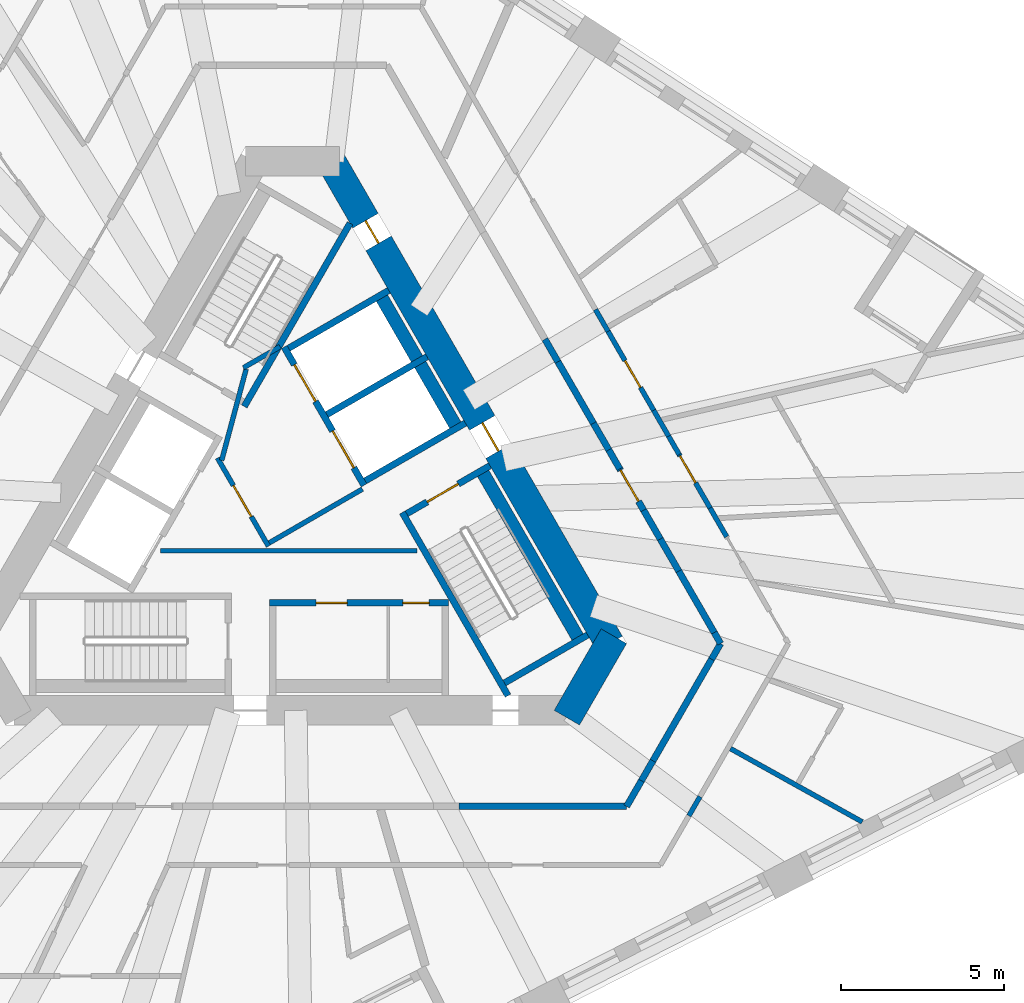
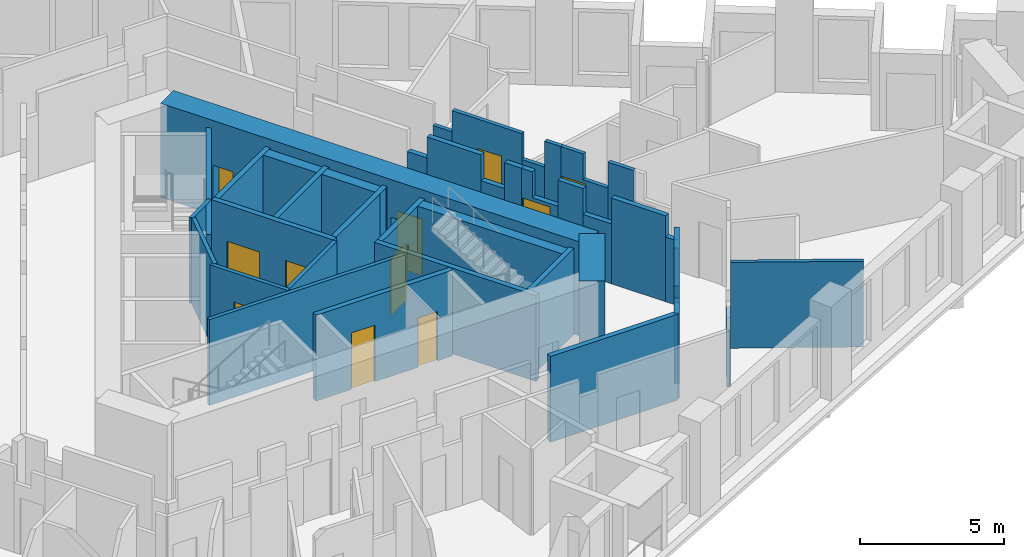
# One storey, part 5 of 13: 40 walls, 11 doors, 11 openings.
"""IFC4 building model written with IfcOpenShell, lengths in metres."""

from ifc_helpers import new_model, si_unit, direction, frame, frame_2d, origin, place, context, subcontext, project, spatial, polyline, rectangle, outline, extrude, material, layer, layer_set, type_object, element, fill, save


model = new_model("IFC4")

# Units and contexts
model_context = context("Model", 3, precision=1e-05, world=origin(), true_north=direction((0.0, 1.0)))
body_context = subcontext(model_context, "Body", "Model", "MODEL_VIEW")
ifc_project = project(units=[si_unit("LENGTHUNIT", "METRE"), si_unit("AREAUNIT", "SQUARE_METRE"), si_unit("VOLUMEUNIT", "CUBIC_METRE"), si_unit("PLANEANGLEUNIT", "RADIAN"), si_unit("MASSUNIT", "GRAM", prefix="KILO")], contexts=[model_context])

# Site, building, storey
site_placement = place(None, origin())
site = spatial("IfcSite", under=ifc_project, at=site_placement, CompositionType="ELEMENT")
building_placement = place(site_placement, origin())
building = spatial("IfcBuilding", under=site, at=building_placement, Name="Tramontana Tower", CompositionType="ELEMENT")
storey_placement = place(building_placement, frame((0.0, 0.0, 141.60009765625)))
storey = spatial("IfcBuildingStorey", under=building, at=storey_placement, Name="L32", CompositionType="ELEMENT", Elevation=141.60009765625)

# Wall
ifc_material_1 = material(Name="Concrete 70 MPa", Category="concrete")
ifc_layer_1 = layer(ifc_material_1, 0.89990234375)
ifc_layer_set_1 = layer_set([ifc_layer_1], Name="Core wall 900 70 MPa")
wall_type_1 = type_object("IfcWallType", Name="Core wall 900 70 MPa", PredefinedType="SHEAR", material=ifc_layer_set_1)
wall_1_placement = place(storey_placement, frame((8.414794921875, -6.52490234375, 0.0), z_axis=(0.0, 0.0, 1.0), x_axis=(0.500059191753, 0.865991226713, 0.0)))
element("IfcWall", 1, at=wall_1_placement, inside=storey, type_object=wall_type_1, Name="Core wall C4 L32", PredefinedType="SHEAR", context=body_context, shape_type="SweptSolid", body=[
    extrude(rectangle(XDim=2.886962890625, YDim=0.89990234375, at=frame_2d((1.443359375, 0.0))), origin(), (0.0, 0.0, 1.0), 4.0),
])

# Wall, openings, doors
wall_2_placement = place(storey_placement, frame((9.728515625, -4.25, 0.0), z_axis=(0.0, 0.0, 1.0), x_axis=(-0.500004814304, 0.866022624227, 0.0)))
wall_2 = element("IfcWall", 2, at=wall_2_placement, inside=storey, type_object=wall_type_1, Name="Core wall C5 L32", PredefinedType="SHEAR", context=body_context, shape_type="SweptSolid", body=[
    extrude(rectangle(XDim=17.089599609375, YDim=0.89990234375, at=frame_2d((8.544921875, 0.0))), origin(), (0.0, 0.0, 1.0), 4.0),
])
opening_1_placement = place(wall_2_placement, frame((6.81982421875, 0.0, 0.0)))
opening_1 = element("IfcOpeningElement", 3, at=opening_1_placement, cuts=wall_2, Name="Opening RG3", PredefinedType="OPENING", context=body_context, shape_type="SweptSolid", body=[
    extrude(rectangle(XDim=1.0, YDim=2.39990234375, at=frame_2d((0.5, 1.199951171875))), frame((0.0, 0.4599609375, 0.0), z_axis=(0.0, -1.0, 0.0), x_axis=(1.0, 0.0, 0.0)), (0.0, 0.0, 1.0), 0.919921875),
])
opening_2_placement = place(wall_2_placement, frame((14.183837890625, 0.0, 0.0)))
opening_2 = element("IfcOpeningElement", 4, at=opening_2_placement, cuts=wall_2, Name="Opening PD3", PredefinedType="OPENING", context=body_context, shape_type="SweptSolid", body=[
    extrude(rectangle(XDim=0.800048828125, YDim=2.10009765625, at=frame_2d((0.39990234375, 1.050048828125))), frame((0.0, 0.4599609375, 0.0), z_axis=(0.0, -1.0, 0.0), x_axis=(1.0, 0.0, 0.0)), (0.0, 0.0, 1.0), 0.919921875),
])
ifc_material_2 = material(Name="Painted steel", Category="steel")
door_type_1 = type_object("IfcDoorType", Name="CUPBOARD DOOR 800", OperationType="SINGLE_SWING_LEFT", PredefinedType="DOOR", material=ifc_material_2)
door_1_placement = place(opening_2_placement, origin())
door_1 = element("IfcDoor", 5, at=door_1_placement, inside=storey, type_object=door_type_1, Name="Door PD3", OperationType="SINGLE_SWING_RIGHT", OverallHeight=2.10009765625, OverallWidth=0.800048828125, PredefinedType="DOOR", context=body_context, shape_type="SweptSolid", body=[
    extrude(rectangle(XDim=0.800048828125, YDim=2.10009765625, at=frame_2d((0.39990234375, 1.050048828125))), frame((0.0, 0.02490234375, 0.0), z_axis=(0.0, -1.0, 0.0), x_axis=(1.0, 0.0, 0.0)), (0.0, 0.0, 1.0), 0.050048828125),
])
fill(opening_2, door_1)
ifc_material_3 = material(Name="Painted steel", Category="steel")
door_type_2 = type_object("IfcDoorType", Name="RING DOOR 1000", OperationType="SINGLE_SWING_LEFT", PredefinedType="DOOR", material=ifc_material_3)
door_2_placement = place(opening_1_placement, origin())
door_2 = element("IfcDoor", 6, at=door_2_placement, inside=storey, type_object=door_type_2, Name="Door RG3", OperationType="SINGLE_SWING_RIGHT", OverallHeight=2.39990234375, OverallWidth=1.0, PredefinedType="DOOR", context=body_context, shape_type="SweptSolid", body=[
    extrude(rectangle(XDim=1.0, YDim=2.39990234375, at=frame_2d((0.5, 1.199951171875))), frame((0.0, 0.02490234375, 0.0), z_axis=(0.0, -1.0, 0.0), x_axis=(1.0, 0.0, 0.0)), (0.0, 0.0, 1.0), 0.050048828125),
])
fill(opening_1, door_2)

# Walls
ifc_material_4 = material(Name="Blockwork", Category="masonry")
ifc_layer_2 = layer(ifc_material_4, 0.199951171875)
ifc_layer_set_2 = layer_set([ifc_layer_2], Name="ENTRY WALL 200")
wall_type_2 = type_object("IfcWallType", Name="ENTRY WALL 200", PredefinedType="SOLIDWALL", material=ifc_layer_set_2)
wall_3_placement = place(storey_placement, frame((7.7421875, 5.090087890625, 0.0), z_axis=(0.0, 0.0, 1.0), x_axis=(0.500109828528, -0.865961984968, 0.0)))
element("IfcWall", 7, at=wall_3_placement, inside=storey, type_object=wall_type_2, Name="Wall v31-ew0-3", PredefinedType="SOLIDWALL", context=body_context, shape_type="SweptSolid", body=[
    extrude(rectangle(XDim=0.800048828125, YDim=0.199951171875, at=frame_2d((0.39990234375, 0.0))), origin(), (0.0, 0.0, 1.0), 2.75),
])
wall_4_placement = place(storey_placement, frame((8.142333984375, 4.397216796875, 0.0), z_axis=(0.0, 0.0, 1.0), x_axis=(0.499948868167, -0.866054922749, 0.0)))
element("IfcWall", 8, at=wall_4_placement, inside=storey, type_object=wall_type_2, Name="Wall v31-ew0-4", PredefinedType="SOLIDWALL", context=body_context, shape_type="SweptSolid", body=[
    extrude(rectangle(XDim=2.177978515625, YDim=0.199951171875, at=frame_2d((1.0888671875, 0.0))), origin(), (0.0, 0.0, 1.0), 3.64990234375),
])
wall_5_placement = place(storey_placement, frame((9.231201171875, 2.510986328125, 0.0), z_axis=(0.0, 0.0, 1.0), x_axis=(0.500118100521, -0.865957207679, 0.0)))
element("IfcWall", 9, at=wall_5_placement, inside=storey, type_object=wall_type_2, Name="Wall v31-ew0-5", PredefinedType="SOLIDWALL", context=body_context, shape_type="SweptSolid", body=[
    extrude(rectangle(XDim=0.943603515625, YDim=0.199951171875, at=frame_2d((0.4716796875, 0.0))), origin(), (0.0, 0.0, 1.0), 2.5498046875),
])
wall_6_placement = place(storey_placement, frame((9.703125, 1.69384765625, 0.0), z_axis=(0.0, 0.0, 1.0), x_axis=(0.499764284991, -0.866161451144, 0.0)))
element("IfcWall", 10, at=wall_6_placement, inside=storey, type_object=wall_type_2, Name="Wall v31-ew0-6", PredefinedType="SOLIDWALL", context=body_context, shape_type="SweptSolid", body=[
    extrude(rectangle(XDim=0.673583984375, YDim=0.199951171875, at=frame_2d((0.3369140625, 0.0))), origin(), (0.0, 0.0, 1.0), 3.64990234375),
])

# Wall, opening, door
wall_7_placement = place(storey_placement, frame((10.039794921875, 1.1103515625, 0.0), z_axis=(0.0, 0.0, 1.0), x_axis=(0.499977492351, -0.866038398192, 0.0)))
wall_7 = element("IfcWall", 11, at=wall_7_placement, inside=storey, type_object=wall_type_2, Name="Wall v31-ew0-7", PredefinedType="SOLIDWALL", context=body_context, shape_type="SweptSolid", body=[
    extrude(outline(polyline([(0.0, 0.0), (1.4638671875, 0.0), (1.4638671875, 2.5498046875), (0.4404296875, 2.5498046875), (0.4404296875, 3.64990234375), (0.0, 3.64990234375), (0.0, 0.0)])), frame((0.0, 0.10009765625, 0.0), z_axis=(0.0, -1.0, 0.0), x_axis=(1.0, 0.0, 0.0)), (0.0, 0.0, 1.0), 0.199951171875),
])
opening_3_placement = place(wall_7_placement, frame((0.050048828125, 0.0, 0.0)))
opening_3 = element("IfcOpeningElement", 12, at=opening_3_placement, cuts=wall_7, Name="Opening B3B-28", PredefinedType="OPENING", context=body_context, shape_type="SweptSolid", body=[
    extrude(rectangle(XDim=1.10009765625, YDim=2.39990234375, at=frame_2d((0.550048828125, 1.199951171875))), frame((0.0, 0.10986328125, 0.0), z_axis=(0.0, -1.0, 0.0), x_axis=(1.0, 0.0, 0.0)), (0.0, 0.0, 1.0), 0.219970703125),
])
ifc_material_5 = material(Name="Painted timber", Category="wood")
door_type_3 = type_object("IfcDoorType", Name="DOOR ENTRY 1100", OperationType="SINGLE_SWING_LEFT", PredefinedType="DOOR", material=ifc_material_5)
door_3_placement = place(opening_3_placement, origin())
door_3 = element("IfcDoor", 13, at=door_3_placement, inside=storey, type_object=door_type_3, Name="Door B3B-28", OperationType="SINGLE_SWING_RIGHT", OverallHeight=2.39990234375, OverallWidth=1.10009765625, PredefinedType="DOOR", context=body_context, shape_type="SweptSolid", body=[
    extrude(rectangle(XDim=1.10009765625, YDim=2.39990234375, at=frame_2d((0.550048828125, 1.199951171875))), frame((0.0, 0.02490234375, 0.0), z_axis=(0.0, -1.0, 0.0), x_axis=(1.0, 0.0, 0.0)), (0.0, 0.0, 1.0), 0.050048828125),
])
fill(opening_3, door_3)

# Walls
wall_8_placement = place(storey_placement, frame((10.771728515625, -0.157470703125, 0.0), z_axis=(0.0, 0.0, 1.0), x_axis=(0.500170198676, -0.865927117231, 0.0)))
element("IfcWall", 14, at=wall_8_placement, inside=storey, type_object=wall_type_2, Name="Wall v31-ew0-8", PredefinedType="SOLIDWALL", context=body_context, shape_type="SweptSolid", body=[
    extrude(rectangle(XDim=1.022705078125, YDim=0.199951171875, at=frame_2d((0.51123046875, 0.0))), origin(), (0.0, 0.0, 1.0), 3.64990234375),
])
wall_9_placement = place(storey_placement, frame((11.283203125, -1.04296875, 0.0), z_axis=(0.0, 0.0, 1.0), x_axis=(0.500001688065, -0.866024429177, 0.0)))
element("IfcWall", 15, at=wall_9_placement, inside=storey, type_object=wall_type_2, Name="Wall v31-ew0-9", PredefinedType="SOLIDWALL", context=body_context, shape_type="SweptSolid", body=[
    extrude(rectangle(XDim=1.13525390625, YDim=0.199951171875, at=frame_2d((0.567626953125, 0.0))), origin(), (0.0, 0.0, 1.0), 2.5498046875),
])
wall_10_placement = place(storey_placement, frame((11.850830078125, -2.026123046875, 0.0), z_axis=(0.0, 0.0, 1.0), x_axis=(0.50001992892, -0.866013897511, 0.0)))
element("IfcWall", 16, at=wall_10_placement, inside=storey, type_object=wall_type_2, Name="Wall v31-ew0-10", PredefinedType="SOLIDWALL", context=body_context, shape_type="SweptSolid", body=[
    extrude(rectangle(XDim=2.1787109375, YDim=0.199951171875, at=frame_2d((1.08935546875, 0.0))), origin(), (0.0, 0.0, 1.0), 3.64990234375),
])
wall_11_placement = place(storey_placement, frame((12.940185546875, -3.912841796875, 0.0), z_axis=(0.0, 0.0, 1.0), x_axis=(0.499849133735, -0.866112488944, 0.0)))
element("IfcWall", 17, at=wall_11_placement, inside=storey, type_object=wall_type_2, Name="Wall v31-ew0-11", PredefinedType="SOLIDWALL", context=body_context, shape_type="SweptSolid", body=[
    extrude(rectangle(XDim=0.38916015625, YDim=0.199951171875, at=frame_2d((0.194580078125, 0.0))), origin(), (0.0, 0.0, 1.0), 2.75),
])
wall_12_placement = place(storey_placement, frame((13.134765625, -4.25, 0.0), z_axis=(0.0, 0.0, 1.0), x_axis=(-0.499887958344, -0.866090081402, 0.0)))
element("IfcWall", 18, at=wall_12_placement, inside=storey, type_object=wall_type_2, Name="Wall v31-ew1-0", PredefinedType="SOLIDWALL", context=body_context, shape_type="SweptSolid", body=[
    extrude(rectangle(XDim=0.553466796875, YDim=0.199951171875, at=frame_2d((0.27685546875, 0.0))), origin(), (0.0, 0.0, 1.0), 2.75),
])
wall_13_placement = place(storey_placement, frame((12.858154296875, -4.729248046875, 0.0), z_axis=(0.0, 0.0, 1.0), x_axis=(-0.500031425827, -0.866007259314, 0.0)))
element("IfcWall", 19, at=wall_13_placement, inside=storey, type_object=wall_type_2, Name="Wall v31-ew1-1", PredefinedType="SOLIDWALL", context=body_context, shape_type="SweptSolid", body=[
    extrude(rectangle(XDim=3.602294921875, YDim=0.199951171875, at=frame_2d((1.80126953125, 0.0))), origin(), (0.0, 0.0, 1.0), 3.64990234375),
])
wall_14_placement = place(storey_placement, frame((11.056884765625, -7.848876953125, 0.0), z_axis=(0.0, 0.0, 1.0), x_axis=(-0.500012199891, -0.86601836006, 0.0)))
element("IfcWall", 20, at=wall_14_placement, inside=storey, type_object=wall_type_2, Name="Wall v31-ew1-2", PredefinedType="SOLIDWALL", context=body_context, shape_type="SweptSolid", body=[
    extrude(rectangle(XDim=0.705078125, YDim=0.199951171875, at=frame_2d((0.3525390625, 0.0))), origin(), (0.0, 0.0, 1.0), 2.949951171875),
])
wall_15_placement = place(storey_placement, frame((10.704345703125, -8.45947265625, 0.0), z_axis=(0.0, 0.0, 1.0), x_axis=(-0.499907684424, -0.866078695647, 0.0)))
element("IfcWall", 21, at=wall_15_placement, inside=storey, type_object=wall_type_2, Name="Wall v31-ew1-3", PredefinedType="SOLIDWALL", context=body_context, shape_type="SweptSolid", body=[
    extrude(rectangle(XDim=0.912841796875, YDim=0.199951171875, at=frame_2d((0.45654296875, 0.0))), origin(), (0.0, 0.0, 1.0), 3.64990234375),
])
wall_16_placement = place(storey_placement, frame((10.248046875, -9.25, 0.0), z_axis=(0.0, 0.0, 1.0), x_axis=(-1.0, 0.0, 0.0)))
element("IfcWall", 22, at=wall_16_placement, inside=storey, type_object=wall_type_2, Name="Wall v31-ew2-0", PredefinedType="SOLIDWALL", context=body_context, shape_type="SweptSolid", body=[
    extrude(rectangle(XDim=5.14208984375, YDim=0.199951171875, at=frame_2d((2.571044921875, 0.0))), origin(), (0.0, 0.0, 1.0), 3.64990234375),
])

# Wall, opening, door
ifc_material_6 = material(Name="Gypsum board partition")
ifc_layer_3 = layer(ifc_material_6, 0.14990234375)
ifc_layer_set_3 = layer_set([ifc_layer_3], Name="PARTITION 150")
wall_type_3 = type_object("IfcWallType", Name="PARTITION 150", PredefinedType="PARTITIONING", material=ifc_layer_set_3)
wall_17_placement = place(storey_placement, frame((-0.744140625, -1.260986328125, 0.0), z_axis=(0.0, 0.0, 1.0), x_axis=(-0.500004234368, 0.866022959057, 0.0)))
wall_17 = element("IfcWall", 23, at=wall_17_placement, inside=storey, type_object=wall_type_3, Name="Wall ff-front", PredefinedType="PARTITIONING", context=body_context, shape_type="SweptSolid", body=[
    extrude(rectangle(XDim=3.125, YDim=0.14990234375, at=frame_2d((1.5625, 0.0))), origin(), (0.0, 0.0, 1.0), 3.64990234375),
])
opening_4_placement = place(wall_17_placement, frame((1.050048828125, 0.0, 0.0)))
opening_4 = element("IfcOpeningElement", 24, at=opening_4_placement, cuts=wall_17, Name="Opening FD1", PredefinedType="OPENING", context=body_context, shape_type="SweptSolid", body=[
    extrude(rectangle(XDim=1.10009765625, YDim=2.39990234375, at=frame_2d((0.550048828125, 1.199951171875))), frame((0.0, 0.0849609375, 0.0), z_axis=(0.0, -1.0, 0.0), x_axis=(1.0, 0.0, 0.0)), (0.0, 0.0, 1.0), 0.169921875),
])
door_4_placement = place(opening_4_placement, origin())
door_4 = element("IfcDoor", 25, at=door_4_placement, inside=storey, type_object=door_type_3, Name="Door FD1", OperationType="SINGLE_SWING_LEFT", OverallHeight=2.39990234375, OverallWidth=1.10009765625, PredefinedType="DOOR", context=body_context, shape_type="SweptSolid", body=[
    extrude(rectangle(XDim=1.10009765625, YDim=2.39990234375, at=frame_2d((0.550048828125, 1.199951171875))), frame((0.0, 0.02490234375, 0.0), z_axis=(0.0, -1.0, 0.0), x_axis=(1.0, 0.0, 0.0)), (0.0, 0.0, 1.0), 0.050048828125),
])
fill(opening_4, door_4)

# Walls
wall_18_placement = place(storey_placement, frame((-0.716796875, -1.15869140625, 0.0), z_axis=(0.0, 0.0, 1.0), x_axis=(0.866008176907, 0.50002983664, 0.0)))
element("IfcWall", 26, at=wall_18_placement, inside=storey, type_object=wall_type_3, Name="Wall ff-end0", PredefinedType="PARTITIONING", context=body_context, shape_type="SweptSolid", body=[
    extrude(rectangle(XDim=3.300048828125, YDim=0.14990234375, at=frame_2d((1.64990234375, 0.0))), origin(), (0.0, 0.0, 1.0), 3.64990234375),
])
wall_19_placement = place(storey_placement, frame((-2.177978515625, 1.372314453125, 0.0), z_axis=(0.0, 0.0, 1.0), x_axis=(0.258808958833, 0.96592852884, 0.0)))
element("IfcWall", 27, at=wall_19_placement, inside=storey, type_object=wall_type_3, Name="Wall ff-diag", PredefinedType="PARTITIONING", context=body_context, shape_type="SweptSolid", body=[
    extrude(rectangle(XDim=2.902587890625, YDim=0.14990234375, at=frame_2d((1.451171875, 0.0))), origin(), (0.0, 0.0, 1.0), 3.64990234375),
])
wall_20_placement = place(storey_placement, frame((-1.509765625, 4.21484375, 0.0), z_axis=(0.0, 0.0, 1.0), x_axis=(0.866085525409, 0.49989585183, 0.0)))
element("IfcWall", 28, at=wall_20_placement, inside=storey, type_object=wall_type_3, Name="Wall ff-end1", PredefinedType="PARTITIONING", context=body_context, shape_type="SweptSolid", body=[
    extrude(rectangle(XDim=1.300048828125, YDim=0.14990234375, at=frame_2d((0.64990234375, 0.0))), origin(), (0.0, 0.0, 1.0), 3.64990234375),
])
wall_21_placement = place(storey_placement, frame((-4.053466796875, -1.39990234375, 0.0), z_axis=(0.0, 0.0, 1.0), x_axis=(1.0, 0.0, 0.0)))
element("IfcWall", 29, at=wall_21_placement, inside=storey, type_object=wall_type_3, Name="Wall hub-cut1", PredefinedType="PARTITIONING", context=body_context, shape_type="SweptSolid", body=[
    extrude(rectangle(XDim=7.8759765625, YDim=0.14990234375, at=frame_2d((3.93798828125, 0.0))), origin(), (0.0, 0.0, 1.0), 3.64990234375),
])
wall_22_placement = place(storey_placement, frame((9.2939453125, 6.00244140625, 0.0), z_axis=(0.0, 0.0, 1.0), x_axis=(0.499831512295, -0.866122658356, 0.0)))
element("IfcWall", 30, at=wall_22_placement, inside=storey, type_object=wall_type_3, Name="Wall v31-pw29-3", PredefinedType="PARTITIONING", context=body_context, shape_type="SweptSolid", body=[
    extrude(rectangle(XDim=0.775146484375, YDim=0.14990234375, at=frame_2d((0.3876953125, 0.0))), origin(), (0.0, 0.0, 1.0), 2.75),
])

# Wall, opening, door
wall_23_placement = place(storey_placement, frame((9.681396484375, 5.3310546875, 0.0), z_axis=(0.0, 0.0, 1.0), x_axis=(0.500034735108, -0.866005348532, 0.0)))
wall_23 = element("IfcWall", 31, at=wall_23_placement, inside=storey, type_object=wall_type_3, Name="Wall v31-pw29-4", PredefinedType="PARTITIONING", context=body_context, shape_type="SweptSolid", body=[
    extrude(rectangle(XDim=2.797119140625, YDim=0.14990234375, at=frame_2d((1.3984375, 0.0))), origin(), (0.0, 0.0, 1.0), 3.64990234375),
])
opening_5_placement = place(wall_23_placement, frame((1.038330078125, 0.0, 0.0)))
opening_5 = element("IfcOpeningElement", 32, at=opening_5_placement, cuts=wall_23, Name="Opening B3B-21", PredefinedType="OPENING", context=body_context, shape_type="SweptSolid", body=[
    extrude(rectangle(XDim=0.949951171875, YDim=2.39990234375, at=frame_2d((0.47509765625, 1.199951171875))), frame((0.0, 0.0849609375, 0.0), z_axis=(0.0, -1.0, 0.0), x_axis=(1.0, 0.0, 0.0)), (0.0, 0.0, 1.0), 0.169921875),
])
ifc_material_7 = material(Name="Painted timber", Category="wood")
door_type_4 = type_object("IfcDoorType", Name="DOOR ROOM 950", OperationType="SINGLE_SWING_LEFT", PredefinedType="DOOR", material=ifc_material_7)
door_5_placement = place(opening_5_placement, origin())
door_5 = element("IfcDoor", 33, at=door_5_placement, inside=storey, type_object=door_type_4, Name="Door B3B-21", OperationType="SINGLE_SWING_LEFT", OverallHeight=2.39990234375, OverallWidth=0.949951171875, PredefinedType="DOOR", context=body_context, shape_type="SweptSolid", body=[
    extrude(rectangle(XDim=0.949951171875, YDim=2.39990234375, at=frame_2d((0.47509765625, 1.199951171875))), frame((0.0, 0.02490234375, 0.0), z_axis=(0.0, -1.0, 0.0), x_axis=(1.0, 0.0, 0.0)), (0.0, 0.0, 1.0), 0.050048828125),
])
fill(opening_5, door_5)

# Walls
wall_24_placement = place(storey_placement, frame((11.080078125, 2.90869140625, 0.0), z_axis=(0.0, 0.0, 1.0), x_axis=(0.500060322201, -0.865990573944, 0.0)))
element("IfcWall", 34, at=wall_24_placement, inside=storey, type_object=wall_type_3, Name="Wall v31-pw29-5", PredefinedType="PARTITIONING", context=body_context, shape_type="SweptSolid", body=[
    extrude(rectangle(XDim=0.91748046875, YDim=0.14990234375, at=frame_2d((0.458740234375, 0.0))), origin(), (0.0, 0.0, 1.0), 2.5498046875),
])
wall_25_placement = place(storey_placement, frame((11.538818359375, 2.1142578125, 0.0), z_axis=(0.0, 0.0, 1.0), x_axis=(0.499852395195, -0.866110606688, 0.0)))
element("IfcWall", 35, at=wall_25_placement, inside=storey, type_object=wall_type_3, Name="Wall v31-pw29-6", PredefinedType="PARTITIONING", context=body_context, shape_type="SweptSolid", body=[
    extrude(rectangle(XDim=0.650634765625, YDim=0.14990234375, at=frame_2d((0.3251953125, 0.0))), origin(), (0.0, 0.0, 1.0), 3.64990234375),
])

# Wall, opening, door
wall_26_placement = place(storey_placement, frame((11.864013671875, 1.55078125, 0.0), z_axis=(0.0, 0.0, 1.0), x_axis=(0.500034891006, -0.866005258515, 0.0)))
wall_26 = element("IfcWall", 36, at=wall_26_placement, inside=storey, type_object=wall_type_3, Name="Wall v31-pw29-7", PredefinedType="PARTITIONING", context=body_context, shape_type="SweptSolid", body=[
    extrude(outline(polyline([(0.0, 0.0), (1.893798828125, 0.0), (1.89404296875, 2.5498046875), (0.89892578125, 2.5498046875), (0.89892578125, 3.64990234375), (0.0, 3.64990234375), (0.0, 0.0)])), frame((0.0, 0.074951171875, 0.0), z_axis=(0.0, -1.0, 0.0), x_axis=(1.0, 0.0, 0.0)), (0.0, 0.0, 1.0), 0.14990234375),
])
opening_6_placement = place(wall_26_placement, frame((0.050048828125, 0.0, 0.0)))
opening_6 = element("IfcOpeningElement", 37, at=opening_6_placement, cuts=wall_26, Name="Opening B3B-17", PredefinedType="OPENING", context=body_context, shape_type="SweptSolid", body=[
    extrude(rectangle(XDim=0.949951171875, YDim=2.39990234375, at=frame_2d((0.47509765625, 1.199951171875))), frame((0.0, 0.0849609375, 0.0), z_axis=(0.0, -1.0, 0.0), x_axis=(1.0, 0.0, 0.0)), (0.0, 0.0, 1.0), 0.169921875),
])
door_6_placement = place(opening_6_placement, origin())
door_6 = element("IfcDoor", 38, at=door_6_placement, inside=storey, type_object=door_type_4, Name="Door B3B-17", OperationType="SINGLE_SWING_LEFT", OverallHeight=2.39990234375, OverallWidth=0.949951171875, PredefinedType="DOOR", context=body_context, shape_type="SweptSolid", body=[
    extrude(rectangle(XDim=0.949951171875, YDim=2.39990234375, at=frame_2d((0.47509765625, 1.199951171875))), frame((0.0, 0.02490234375, 0.0), z_axis=(0.0, -1.0, 0.0), x_axis=(1.0, 0.0, 0.0)), (0.0, 0.0, 1.0), 0.050048828125),
])
fill(opening_6, door_6)

# Walls
wall_27_placement = place(storey_placement, frame((12.81103515625, -0.08935546875, 0.0), z_axis=(0.0, 0.0, 1.0), x_axis=(0.500018862428, -0.866014513283, 0.0)))
element("IfcWall", 39, at=wall_27_placement, inside=storey, type_object=wall_type_3, Name="Wall v31-pw29-8", PredefinedType="PARTITIONING", context=body_context, shape_type="SweptSolid", body=[
    extrude(rectangle(XDim=1.02197265625, YDim=0.14990234375, at=frame_2d((0.510986328125, 0.0))), origin(), (0.0, 0.0, 1.0), 3.64990234375),
])
wall_28_placement = place(storey_placement, frame((12.501220703125, -8.947021484375, 0.0), z_axis=(0.0, 0.0, 1.0), x_axis=(-0.499846793097, -0.866113839764, 0.0)))
element("IfcWall", 40, at=wall_28_placement, inside=storey, type_object=wall_type_3, Name="Wall v31-pw40-3", PredefinedType="PARTITIONING", context=body_context, shape_type="SweptSolid", body=[
    extrude(rectangle(XDim=0.679931640625, YDim=0.14990234375, at=frame_2d((0.33984375, 0.0))), origin(), (0.0, 0.0, 1.0), 2.949951171875),
])
wall_29_placement = place(storey_placement, frame((17.481689453125, -9.72314453125, 0.0), z_axis=(0.0, 0.0, 1.0), x_axis=(-0.873935661158, 0.486041623893, 0.0)))
element("IfcWall", 41, at=wall_29_placement, inside=storey, type_object=wall_type_3, Name="Wall v31-pw43", PredefinedType="PARTITIONING", context=body_context, shape_type="SweptSolid", body=[
    extrude(rectangle(XDim=4.626708984375, YDim=0.14990234375, at=frame_2d((2.3134765625, 0.0))), origin(), (0.0, 0.0, 1.0), 3.64990234375),
])
ifc_material_8 = material(Name="Concrete 70 MPa", Category="concrete")
ifc_layer_4 = layer(ifc_material_8, 0.39990234375)
ifc_layer_set_4 = layer_set([ifc_layer_4], Name="Concrete 70 MPa, 400 mm")
wall_type_4 = type_object("IfcWallType", Name="RC SHAFT BACK WALL 400", PredefinedType="SOLIDWALL", material=ifc_layer_set_4)
wall_30_placement = place(storey_placement, frame((8.846435546875, -4.222412109375, 0.0), z_axis=(0.0, 0.0, 1.0), x_axis=(-0.500009909098, 0.866019682689, 0.0)))
element("IfcWall", 42, at=wall_30_placement, inside=storey, type_object=wall_type_4, Name="Wall st3-back", PredefinedType="SOLIDWALL", context=body_context, shape_type="SweptSolid", body=[
    extrude(rectangle(XDim=6.199951171875, YDim=0.39990234375, at=frame_2d((3.10009765625, 0.0))), origin(), (0.0, 0.0, 1.0), 3.64990234375),
])
wall_31_placement = place(storey_placement, frame((5.091552734375, 2.28125, 0.0), z_axis=(0.0, 0.0, 1.0), x_axis=(-0.500018594424, 0.866014668023, 0.0)))
element("IfcWall", 43, at=wall_31_placement, inside=storey, type_object=wall_type_4, Name="Wall row2-back", PredefinedType="SOLIDWALL", context=body_context, shape_type="SweptSolid", body=[
    extrude(rectangle(XDim=4.900146484375, YDim=0.39990234375, at=frame_2d((2.4501953125, 0.0))), origin(), (0.0, 0.0, 1.0), 3.64990234375),
])
ifc_material_9 = material(Name="Concrete 70 MPa", Category="concrete")
ifc_layer_5 = layer(ifc_material_9, 0.199951171875)
ifc_layer_set_5 = layer_set([ifc_layer_5], Name="Concrete 70 MPa, 200 mm")
wall_type_5 = type_object("IfcWallType", Name="RC STAIR AND SHAFT WALL 200", PredefinedType="SOLIDWALL", material=ifc_layer_set_5)
wall_32_placement = place(storey_placement, frame((1.760986328125, 8.64990234375, 0.0), z_axis=(0.0, 0.0, 1.0), x_axis=(-0.500010023241, -0.866019616786, 0.0)))
element("IfcWall", 44, at=wall_32_placement, inside=storey, type_object=wall_type_5, Name="Wall st1-front", PredefinedType="SOLIDWALL", context=body_context, shape_type="SweptSolid", body=[
    extrude(rectangle(XDim=6.491455078125, YDim=0.199951171875, at=frame_2d((3.24560546875, 0.0))), origin(), (0.0, 0.0, 1.0), 3.64990234375),
])
wall_33_placement = place(storey_placement, frame((6.610595703125, -5.85009765625, 0.0), z_axis=(0.0, 0.0, 1.0), x_axis=(-0.499965531574, 0.866045303225, 0.0)))
element("IfcWall", 45, at=wall_33_placement, inside=storey, type_object=wall_type_5, Name="Wall st3-front", PredefinedType="SOLIDWALL", context=body_context, shape_type="SweptSolid", body=[
    extrude(rectangle(XDim=6.49169921875, YDim=0.199951171875, at=frame_2d((3.245849609375, 0.0))), origin(), (0.0, 0.0, 1.0), 3.64990234375),
])
wall_34_placement = place(storey_placement, frame((6.50146484375, -5.4609375, 0.0), z_axis=(0.0, 0.0, 1.0), x_axis=(0.866003658127, 0.500037662692, 0.0)))
element("IfcWall", 46, at=wall_34_placement, inside=storey, type_object=wall_type_5, Name="Wall st3-far", PredefinedType="SOLIDWALL", context=body_context, shape_type="SweptSolid", body=[
    extrude(rectangle(XDim=2.949951171875, YDim=0.199951171875, at=frame_2d((1.47509765625, 0.0))), origin(), (0.0, 0.0, 1.0), 3.64990234375),
])

# Wall, opening, door
wall_35_placement = place(storey_placement, frame((3.50146484375, -0.2646484375, 0.0), z_axis=(0.0, 0.0, 1.0), x_axis=(0.866039495442, 0.49997559174, 0.0)))
wall_35 = element("IfcWall", 47, at=wall_35_placement, inside=storey, type_object=wall_type_5, Name="Wall st3-near", PredefinedType="SOLIDWALL", context=body_context, shape_type="SweptSolid", body=[
    extrude(rectangle(XDim=2.949951171875, YDim=0.199951171875, at=frame_2d((1.47509765625, 0.0))), origin(), (0.0, 0.0, 1.0), 3.64990234375),
])
opening_7_placement = place(wall_35_placement, frame((0.72509765625, 0.0, 0.0)))
opening_7 = element("IfcOpeningElement", 48, at=opening_7_placement, cuts=wall_35, Name="Opening SD3", PredefinedType="OPENING", context=body_context, shape_type="SweptSolid", body=[
    extrude(rectangle(XDim=1.10009765625, YDim=2.39990234375, at=frame_2d((0.550048828125, 1.199951171875))), frame((0.0, 0.10986328125, 0.0), z_axis=(0.0, -1.0, 0.0), x_axis=(1.0, 0.0, 0.0)), (0.0, 0.0, 1.0), 0.219970703125),
])
ifc_material_10 = material(Name="Painted steel", Category="steel")
door_type_5 = type_object("IfcDoorType", Name="STAIR DOOR 1100", OperationType="SINGLE_SWING_LEFT", PredefinedType="DOOR", material=ifc_material_10)
door_7_placement = place(opening_7_placement, origin())
door_7 = element("IfcDoor", 49, at=door_7_placement, inside=storey, type_object=door_type_5, Name="Door SD3", OperationType="SINGLE_SWING_RIGHT", OverallHeight=2.39990234375, OverallWidth=1.10009765625, PredefinedType="DOOR", context=body_context, shape_type="SweptSolid", body=[
    extrude(rectangle(XDim=1.10009765625, YDim=2.39990234375, at=frame_2d((0.550048828125, 1.199951171875))), frame((0.0, 0.02490234375, 0.0), z_axis=(0.0, -1.0, 0.0), x_axis=(1.0, 0.0, 0.0)), (0.0, 0.0, 1.0), 0.050048828125),
])
fill(opening_7, door_7)

# Wall, openings, doors
wall_36_placement = place(storey_placement, frame((4.7900390625, -3.0, 0.0), z_axis=(0.0, 0.0, 1.0), x_axis=(-1.0, 0.0, 0.0)))
wall_36 = element("IfcWall", 50, at=wall_36_placement, inside=storey, type_object=wall_type_5, Name="Wall row1-front", PredefinedType="SOLIDWALL", context=body_context, shape_type="SweptSolid", body=[
    extrude(rectangle(XDim=5.5, YDim=0.199951171875, at=frame_2d((2.75, 0.0))), origin(), (0.0, 0.0, 1.0), 3.64990234375),
])
opening_8_placement = place(wall_36_placement, frame((3.1201171875, 0.0, 0.0)))
opening_8 = element("IfcOpeningElement", 51, at=opening_8_placement, cuts=wall_36, Name="Opening RD-1A", PredefinedType="OPENING", context=body_context, shape_type="SweptSolid", body=[
    extrude(rectangle(XDim=0.949951171875, YDim=2.39990234375, at=frame_2d((0.47509765625, 1.199951171875))), frame((0.0, 0.10986328125, 0.0), z_axis=(0.0, -1.0, 0.0), x_axis=(1.0, 0.0, 0.0)), (0.0, 0.0, 1.0), 0.219970703125),
])
opening_9_placement = place(wall_36_placement, frame((0.60498046875, 0.0, 0.0)))
opening_9 = element("IfcOpeningElement", 52, at=opening_9_placement, cuts=wall_36, Name="Opening RD-1B", PredefinedType="OPENING", context=body_context, shape_type="SweptSolid", body=[
    extrude(rectangle(XDim=0.800048828125, YDim=2.10009765625, at=frame_2d((0.39990234375, 1.050048828125))), frame((0.0, 0.10986328125, 0.0), z_axis=(0.0, -1.0, 0.0), x_axis=(1.0, 0.0, 0.0)), (0.0, 0.0, 1.0), 0.219970703125),
])
door_8_placement = place(opening_9_placement, origin())
door_8 = element("IfcDoor", 53, at=door_8_placement, inside=storey, type_object=door_type_1, Name="Door RD-1B", OperationType="SINGLE_SWING_RIGHT", OverallHeight=2.10009765625, OverallWidth=0.800048828125, PredefinedType="DOOR", context=body_context, shape_type="SweptSolid", body=[
    extrude(rectangle(XDim=0.800048828125, YDim=2.10009765625, at=frame_2d((0.39990234375, 1.050048828125))), frame((0.0, 0.02490234375, 0.0), z_axis=(0.0, -1.0, 0.0), x_axis=(1.0, 0.0, 0.0)), (0.0, 0.0, 1.0), 0.050048828125),
])
fill(opening_9, door_8)
door_9_placement = place(opening_8_placement, origin())
door_9 = element("IfcDoor", 54, at=door_9_placement, inside=storey, type_object=door_type_4, Name="Door RD-1A", OperationType="SINGLE_SWING_LEFT", OverallHeight=2.39990234375, OverallWidth=0.949951171875, PredefinedType="DOOR", context=body_context, shape_type="SweptSolid", body=[
    extrude(rectangle(XDim=0.949951171875, YDim=2.39990234375, at=frame_2d((0.47509765625, 1.199951171875))), frame((0.0, 0.02490234375, 0.0), z_axis=(0.0, -1.0, 0.0), x_axis=(1.0, 0.0, 0.0)), (0.0, 0.0, 1.0), 0.050048828125),
])
fill(opening_8, door_9)

wall_37_placement = place(storey_placement, frame((2.190185546875, 0.6064453125, 0.0), z_axis=(0.0, 0.0, 1.0), x_axis=(-0.500002801628, 0.866023786258, 0.0)))
wall_37 = element("IfcWall", 55, at=wall_37_placement, inside=storey, type_object=wall_type_5, Name="Wall row2-front", PredefinedType="SOLIDWALL", context=body_context, shape_type="SweptSolid", body=[
    extrude(rectangle(XDim=4.89990234375, YDim=0.199951171875, at=frame_2d((2.449951171875, 0.0))), origin(), (0.0, 0.0, 1.0), 3.64990234375),
])
opening_10_placement = place(wall_37_placement, frame((0.625, 0.0, 0.0)))
opening_10 = element("IfcOpeningElement", 56, at=opening_10_placement, cuts=wall_37, Name="Opening LD-F1", PredefinedType="OPENING", context=body_context, shape_type="SweptSolid", body=[
    extrude(rectangle(XDim=1.300048828125, YDim=2.10009765625, at=frame_2d((0.64990234375, 1.050048828125))), frame((0.0, 0.10986328125, 0.0), z_axis=(0.0, -1.0, 0.0), x_axis=(1.0, 0.0, 0.0)), (0.0, 0.0, 1.0), 0.219970703125),
])
opening_11_placement = place(wall_37_placement, frame((2.97509765625, 0.0, 0.0)))
opening_11 = element("IfcOpeningElement", 57, at=opening_11_placement, cuts=wall_37, Name="Opening LD-F2", PredefinedType="OPENING", context=body_context, shape_type="SweptSolid", body=[
    extrude(rectangle(XDim=1.300048828125, YDim=2.10009765625, at=frame_2d((0.64990234375, 1.050048828125))), frame((0.0, 0.10986328125, 0.0), z_axis=(0.0, -1.0, 0.0), x_axis=(1.0, 0.0, 0.0)), (0.0, 0.0, 1.0), 0.219970703125),
])
ifc_material_11 = material(Name="Brushed steel", Category="steel")
door_type_6 = type_object("IfcDoorType", Name="LANDING DOOR 1300", OperationType="SINGLE_SWING_LEFT", PredefinedType="DOOR", material=ifc_material_11)
door_10_placement = place(opening_10_placement, origin())
door_10 = element("IfcDoor", 58, at=door_10_placement, inside=storey, type_object=door_type_6, Name="Door LD-F1", OperationType="SLIDING_TO_LEFT", OverallHeight=2.10009765625, OverallWidth=1.300048828125, PredefinedType="DOOR", context=body_context, shape_type="SweptSolid", body=[
    extrude(rectangle(XDim=1.300048828125, YDim=2.10009765625, at=frame_2d((0.64990234375, 1.050048828125))), frame((0.0, 0.02490234375, 0.0), z_axis=(0.0, -1.0, 0.0), x_axis=(1.0, 0.0, 0.0)), (0.0, 0.0, 1.0), 0.050048828125),
])
fill(opening_10, door_10)
door_11_placement = place(opening_11_placement, origin())
door_11 = element("IfcDoor", 59, at=door_11_placement, inside=storey, type_object=door_type_6, Name="Door LD-F2", OperationType="SLIDING_TO_RIGHT", OverallHeight=2.10009765625, OverallWidth=1.300048828125, PredefinedType="DOOR", context=body_context, shape_type="SweptSolid", body=[
    extrude(rectangle(XDim=1.300048828125, YDim=2.10009765625, at=frame_2d((0.64990234375, 1.050048828125))), frame((0.0, 0.02490234375, 0.0), z_axis=(0.0, -1.0, 0.0), x_axis=(1.0, 0.0, 0.0)), (0.0, 0.0, 1.0), 0.050048828125),
])
fill(opening_11, door_11)

# Walls
for number, where, z_axis, x_axis, name in (
    (60, (2.226806640625, 0.742919921875, 0.0), (0.0, 0.0, 1.0), (0.866012656725, 0.500022077904, 0.0), "Wall row2-side0"),
    (61, (1.0517578125, 2.778076171875, 0.0), (0.0, 0.0, 1.0), (0.866012656725, 0.500022077904, 0.0), "Wall row2-side1"),
):
    element("IfcWall", number, at=place(storey_placement, frame(where, z_axis=z_axis, x_axis=x_axis)), inside=storey, type_object=wall_type_5, Name=name, PredefinedType="SOLIDWALL", context=body_context, shape_type="SweptSolid", body=[
        extrude(rectangle(XDim=3.550048828125, YDim=0.199951171875, at=frame_2d((1.77490234375, 0.0))), origin(), (0.0, 0.0, 1.0), 3.64990234375),
    ])
wall_38_placement = place(storey_placement, frame((-0.123046875, 4.813232421875, 0.0), z_axis=(0.0, 0.0, 1.0), x_axis=(0.865995461329, 0.500051858269, 0.0)))
element("IfcWall", 62, at=wall_38_placement, inside=storey, type_object=wall_type_5, Name="Wall row2-side2", PredefinedType="SOLIDWALL", context=body_context, shape_type="SweptSolid", body=[
    extrude(rectangle(XDim=3.5498046875, YDim=0.199951171875, at=frame_2d((1.77490234375, 0.0))), origin(), (0.0, 0.0, 1.0), 3.64990234375),
])

save(model, "model.ifc")
